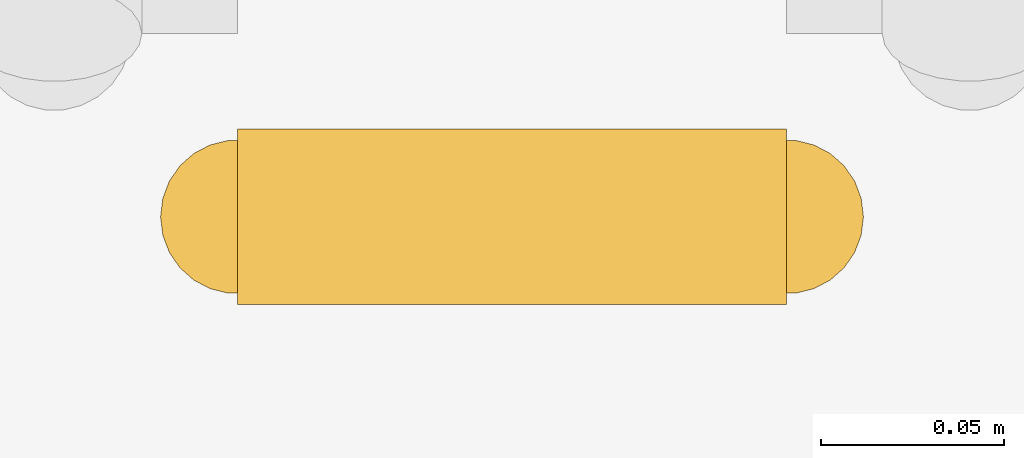
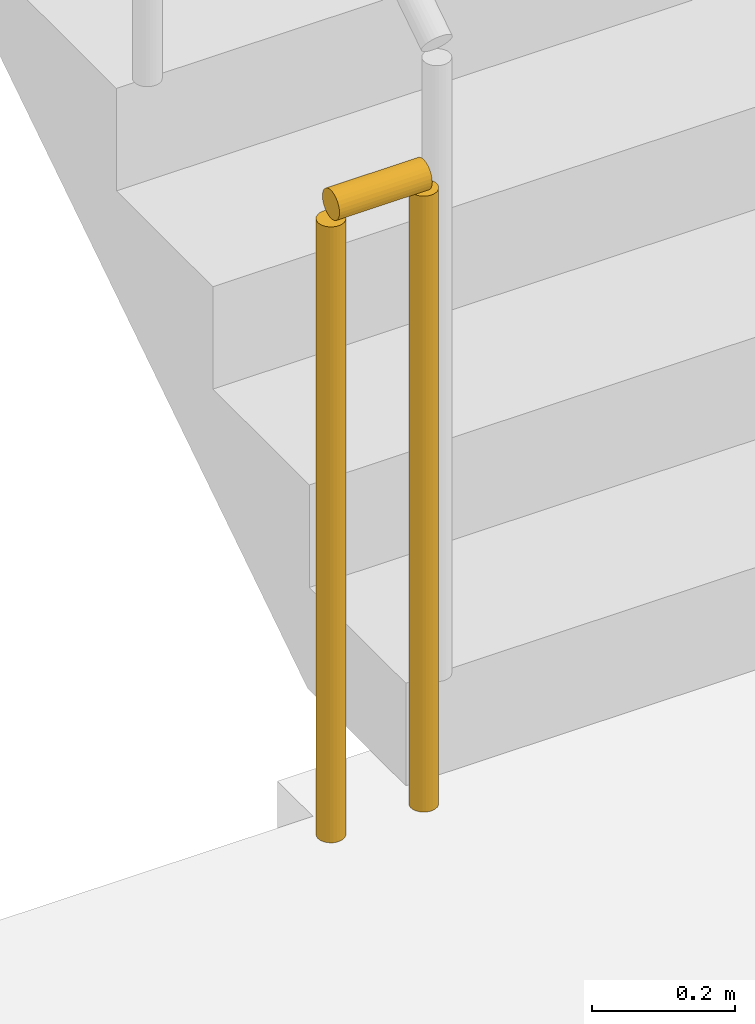
# One storey, part 16 of 19: 1 railing.
"""IFC4 building model written with IfcOpenShell, lengths in metres."""

from ifc_helpers import new_model, si_unit, direction, frame, origin, origin_2d, place, context, subcontext, project, spatial, circle, extrude, material, type_object, element, save


model = new_model("IFC4")

# Units and contexts
model_context = context("Model", 3, precision=1e-05, world=origin(), true_north=direction((0.0, 1.0)))
body_context = subcontext(model_context, "Body", "Model", "MODEL_VIEW")
ifc_project = project(units=[si_unit("LENGTHUNIT", "METRE"), si_unit("AREAUNIT", "SQUARE_METRE"), si_unit("VOLUMEUNIT", "CUBIC_METRE"), si_unit("PLANEANGLEUNIT", "RADIAN"), si_unit("MASSUNIT", "GRAM", prefix="KILO")], contexts=[model_context])

# Site, building, storey
site_placement = place(None, origin())
site = spatial("IfcSite", under=ifc_project, at=site_placement, CompositionType="ELEMENT")
building_placement = place(site_placement, origin())
building = spatial("IfcBuilding", under=site, at=building_placement, Name="Saffron Iwan Residences", CompositionType="ELEMENT")
storey_placement = place(building_placement, frame((0.0, 0.0, 232.5)))
storey = spatial("IfcBuildingStorey", under=building, at=storey_placement, Name="L62", CompositionType="ELEMENT", Elevation=232.5)

# Railing
ifc_material = material(Name="Steel S355", Category="steel")
railing_type = type_object("IfcRailingType", Name="Stair guard 1100", PredefinedType="GUARDRAIL", material=ifc_material)
railing_placement = place(storey_placement, frame((69.699951171875, 67.800048828125, 0.0)))
element("IfcRailing", 1, at=railing_placement, inside=storey, type_object=railing_type, Name="L62 ST-E stair guard 2", PredefinedType="GUARDRAIL", context=body_context, shape_type="SweptSolid", body=[
    extrude(circle(Radius=0.02392578125, at=origin_2d()), frame((0.0, 0.0, 1.076171875), z_axis=(-1.0, 0.0, 0.0), x_axis=(0.0, -1.0, 0.0)), (0.0, 0.0, 1.0), 0.14990234375),
    extrude(circle(Radius=0.02099609375, at=origin_2d()), origin(), (0.0, 0.0, 1.0), 1.052001953125),
    extrude(circle(Radius=0.02099609375, at=origin_2d()), frame((-0.14990234375, 0.0, 0.0)), (0.0, 0.0, 1.0), 1.052001953125),
])

save(model, "model.ifc")
